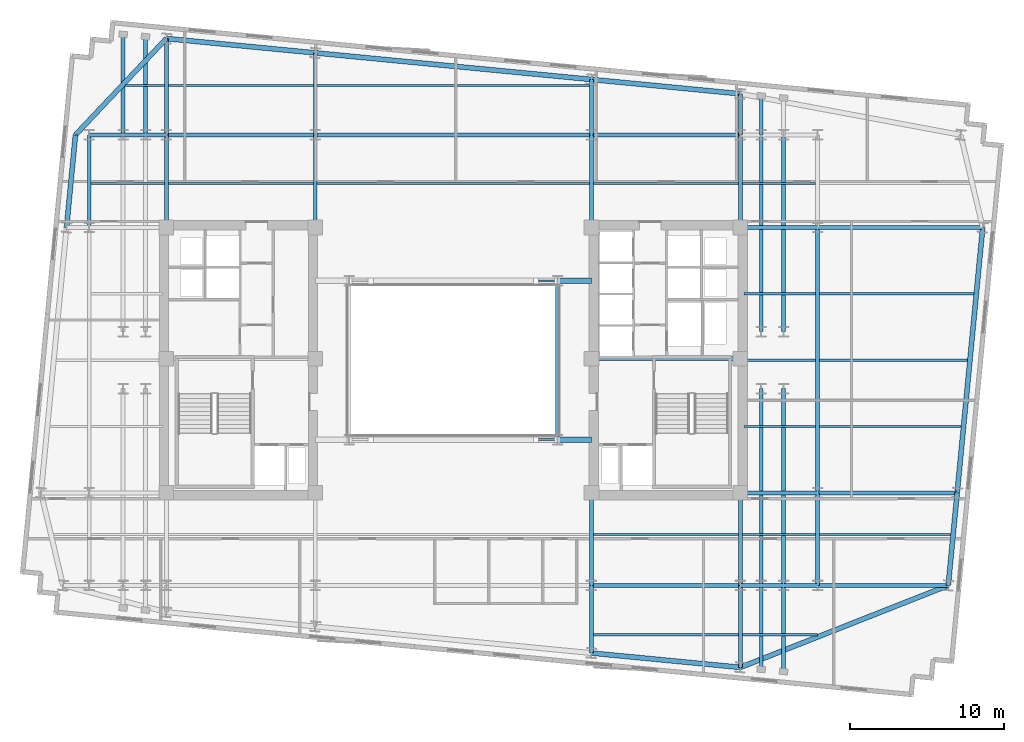
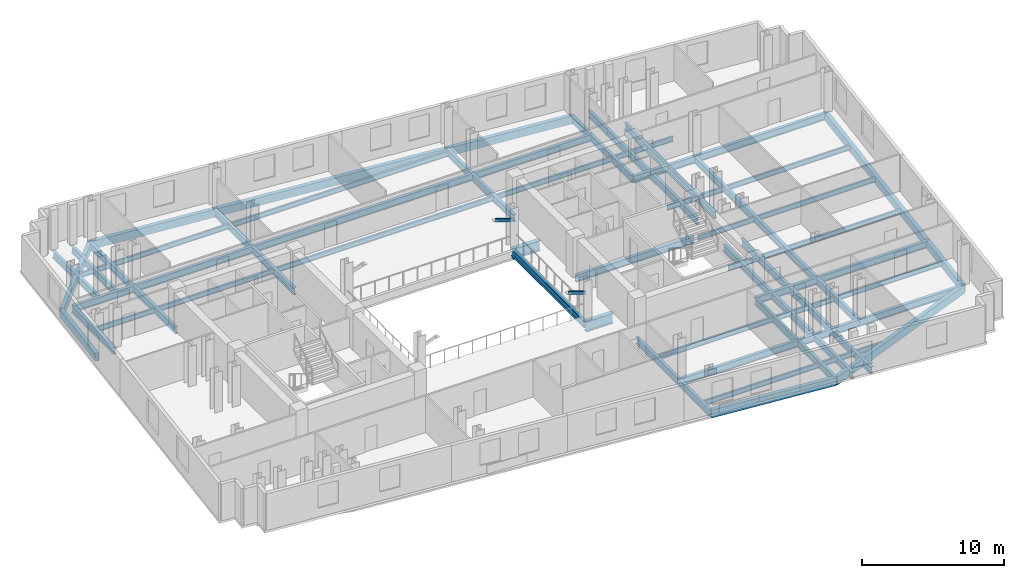
# One storey, part 2 of 9: 67 beams, 2 members.
"""IFC4 building model written with IfcOpenShell, lengths in metres."""

from ifc_helpers import new_model, si_unit, direction, frame, origin, origin_2d, place, context, subcontext, project, spatial, rectangle, hollow_rectangle, i_section, extrude, material, material_profile, profile_set, type_object, element, save


model = new_model("IFC4")

# Units and contexts
model_context = context("Model", 3, precision=1e-05, world=origin(), true_north=direction((0.0, 1.0)))
body_context = subcontext(model_context, "Body", "Model", "MODEL_VIEW")
ifc_project = project(units=[si_unit("LENGTHUNIT", "METRE"), si_unit("AREAUNIT", "SQUARE_METRE"), si_unit("VOLUMEUNIT", "CUBIC_METRE"), si_unit("PLANEANGLEUNIT", "RADIAN"), si_unit("MASSUNIT", "GRAM", prefix="KILO")], contexts=[model_context])

# Site, building, storey
site_placement = place(None, origin())
site = spatial("IfcSite", under=ifc_project, at=site_placement, CompositionType="ELEMENT")
building_placement = place(site_placement, origin())
building = spatial("IfcBuilding", under=site, at=building_placement, Name="Velakula Bourse", CompositionType="ELEMENT")
storey_placement = place(building_placement, frame((0.0, 0.0, 191.449951171875)))
storey = spatial("IfcBuildingStorey", under=building, at=storey_placement, Name="L52", CompositionType="ELEMENT", Elevation=191.449951171875)

# Beams
ifc_material_1 = material(Name="Steel IS 2062 Grade 350 (E350)", Category="steel")
ifc_material_profile_1 = material_profile(ifc_material_1, i_section(OverallWidth=0.25, OverallDepth=0.60009765625, WebThickness=0.01123046875, FlangeThickness=0.021240234375, at=origin_2d()), Name="Steel IS 2062 Grade 350 (E350)")
ifc_profile_set_1 = profile_set([ifc_material_profile_1], Name="Steel IS 2062 Grade 350 (E350)")
beam_type_1 = type_object("IfcBeamType", Name="BM-GRD-600M", PredefinedType="BEAM", material=ifc_profile_set_1)
beam_1_placement = place(storey_placement, frame((8.949951171875, 0.10009765625, -0.47998046875), z_axis=(1.0, 0.0, 0.0), x_axis=(0.0, 1.0, 0.0)))
element("IfcBeam", 1, at=beam_1_placement, inside=storey, type_object=beam_type_1, Name="L52 Primary Backbone Girder CRE-M", PredefinedType="BEAM", context=body_context, shape_type="SweptSolid", body=[
    extrude(i_section(OverallWidth=0.25, OverallDepth=0.60009765625, WebThickness=0.01123046875, FlangeThickness=0.021240234375, at=origin_2d()), origin(), (0.0, 0.0, 1.0), 9.650146484375),
])
beam_2_placement = place(storey_placement, frame((6.75, -5.14990234375, -0.47998046875), z_axis=(0.0, 1.0, 0.0), x_axis=(-1.0, 0.0, 0.0)))
element("IfcBeam", 2, at=beam_2_placement, inside=storey, type_object=beam_type_1, Name="L52 Primary Backbone Girder SPN-E", PredefinedType="BEAM", context=body_context, shape_type="SweptSolid", body=[
    extrude(i_section(OverallWidth=0.25, OverallDepth=0.60009765625, WebThickness=0.01123046875, FlangeThickness=0.021240234375, at=origin_2d()), origin(), (0.0, 0.0, 1.0), 10.2998046875),
])
for number, where, z_axis, x_axis, name in (
    (3, (-18.60009765625, 8.60009765625, -0.47998046875), (0.0, 1.0, 0.0), (-1.0, 0.0, 0.0), "L52 Fulcrum Grid Girder FLC-WN"),
    (4, (-8.949951171875, 8.60009765625, -0.47998046875), (0.0, 1.0, 0.0), (-1.0, 0.0, 0.0), "L52 Fulcrum Grid Girder FLC-WCN"),
    (5, (8.949951171875, -14.60009765625, -0.47998046875), (0.0, 1.0, 0.0), (-1.0, 0.0, 0.0), "L52 Fulcrum Grid Girder FLC-ECS"),
    (6, (8.949951171875, 8.60009765625, -0.47998046875), (0.0, 1.0, 0.0), (-1.0, 0.0, 0.0), "L52 Fulcrum Grid Girder FLC-ECN"),
    (7, (18.60009765625, -14.60009765625, -0.47998046875), (0.0, 1.0, 0.0), (-1.0, 0.0, 0.0), "L52 Fulcrum Grid Girder FLC-ES"),
    (8, (18.60009765625, 8.60009765625, -0.47998046875), (0.0, 1.0, 0.0), (-1.0, 0.0, 0.0), "L52 Fulcrum Grid Girder FLC-EN"),
):
    element("IfcBeam", number, at=place(storey_placement, frame(where, z_axis=z_axis, x_axis=x_axis)), inside=storey, type_object=beam_type_1, Name=name, PredefinedType="BEAM", context=body_context, shape_type="SweptSolid", body=[
        extrude(i_section(OverallWidth=0.25, OverallDepth=0.60009765625, WebThickness=0.01123046875, FlangeThickness=0.021240234375, at=origin_2d()), origin(), (0.0, 0.0, 1.0), 6.0),
    ])
for number, where, z_axis, x_axis, name in (
    (9, (8.949951171875, -14.60009765625, -0.47998046875), (1.0, 0.0, 0.0), (0.0, 1.0, 0.0), "L52 Fulcrum Grid Girder FLC-S3"),
    (10, (-18.60009765625, 14.60009765625, -0.47998046875), (1.0, 0.0, 0.0), (0.0, 1.0, 0.0), "L52 Fulcrum Grid Girder FLC-N1"),
):
    element("IfcBeam", number, at=place(storey_placement, frame(where, z_axis=z_axis, x_axis=x_axis)), inside=storey, type_object=beam_type_1, Name=name, PredefinedType="BEAM", context=body_context, shape_type="SweptSolid", body=[
        extrude(i_section(OverallWidth=0.25, OverallDepth=0.60009765625, WebThickness=0.01123046875, FlangeThickness=0.021240234375, at=origin_2d()), origin(), (0.0, 0.0, 1.0), 9.650146484375),
    ])
beam_3_placement = place(storey_placement, frame((-8.949951171875, 14.60009765625, -0.47998046875), z_axis=(1.0, 0.0, 0.0), x_axis=(0.0, 1.0, 0.0)))
element("IfcBeam", 11, at=beam_3_placement, inside=storey, type_object=beam_type_1, Name="L52 Fulcrum Grid Girder FLC-N2", PredefinedType="BEAM", context=body_context, shape_type="SweptSolid", body=[
    extrude(i_section(OverallWidth=0.25, OverallDepth=0.60009765625, WebThickness=0.01123046875, FlangeThickness=0.021240234375, at=origin_2d()), origin(), (0.0, 0.0, 1.0), 17.89990234375),
])
beam_4_placement = place(storey_placement, frame((8.949951171875, 14.60009765625, -0.47998046875), z_axis=(1.0, 0.0, 0.0), x_axis=(0.0, 1.0, 0.0)))
element("IfcBeam", 12, at=beam_4_placement, inside=storey, type_object=beam_type_1, Name="L52 Fulcrum Grid Girder FLC-N3", PredefinedType="BEAM", context=body_context, shape_type="SweptSolid", body=[
    extrude(i_section(OverallWidth=0.25, OverallDepth=0.60009765625, WebThickness=0.01123046875, FlangeThickness=0.021240234375, at=origin_2d()), origin(), (0.0, 0.0, 1.0), 9.650146484375),
])
for number, where, z_axis, x_axis, name in (
    (13, (19.949951171875, -14.60009765625, -0.47998046875), (0.0, 1.0, 0.0), (-1.0, 0.0, 0.0), "L52 Fulcrum Grid Girder FLC-PSE1"),
    (14, (19.949951171875, 1.85009765625, -0.47998046875), (0.0, 1.0, 0.0), (-1.0, 0.0, 0.0), "L52 Fulcrum Grid Girder FLC-PNE1"),
    (15, (21.39990234375, -14.60009765625, -0.47998046875), (0.0, 1.0, 0.0), (-1.0, 0.0, 0.0), "L52 Fulcrum Grid Girder FLC-PSE2"),
    (16, (21.39990234375, 1.85009765625, -0.47998046875), (0.0, 1.0, 0.0), (-1.0, 0.0, 0.0), "L52 Fulcrum Grid Girder FLC-PNE2"),
):
    element("IfcBeam", number, at=place(storey_placement, frame(where, z_axis=z_axis, x_axis=x_axis)), inside=storey, type_object=beam_type_1, Name=name, PredefinedType="BEAM", context=body_context, shape_type="SweptSolid", body=[
        extrude(i_section(OverallWidth=0.25, OverallDepth=0.60009765625, WebThickness=0.01123046875, FlangeThickness=0.021240234375, at=origin_2d()), origin(), (0.0, 0.0, 1.0), 12.75),
    ])
beam_5_placement = place(storey_placement, frame((-23.60009765625, 14.60009765625, -0.47998046875), z_axis=(1.0, 0.0, 0.0), x_axis=(0.0, 1.0, 0.0)))
element("IfcBeam", 17, at=beam_5_placement, inside=storey, type_object=beam_type_1, Name="L52 Fulcrum Grid Girder MWG-WN2", PredefinedType="BEAM", context=body_context, shape_type="SweptSolid", body=[
    extrude(i_section(OverallWidth=0.25, OverallDepth=0.60009765625, WebThickness=0.01123046875, FlangeThickness=0.021240234375, at=origin_2d()), origin(), (0.0, 0.0, 1.0), 5.0),
])
beam_6_placement = place(storey_placement, frame((-23.60009765625, 8.60009765625, -0.47998046875), z_axis=(0.0, 1.0, 0.0), x_axis=(-1.0, 0.0, 0.0)))
element("IfcBeam", 18, at=beam_6_placement, inside=storey, type_object=beam_type_1, Name="L52 Fulcrum Grid Girder MWG-WNS3", PredefinedType="BEAM", context=body_context, shape_type="SweptSolid", body=[
    extrude(i_section(OverallWidth=0.25, OverallDepth=0.60009765625, WebThickness=0.01123046875, FlangeThickness=0.021240234375, at=origin_2d()), origin(), (0.0, 0.0, 1.0), 6.0),
])
for number, where, z_axis, x_axis, name in (
    (19, (18.60009765625, -14.60009765625, -0.47998046875), (1.0, 0.0, 0.0), (0.0, 1.0, 0.0), "L52 Fulcrum Grid Girder MWG-ES1"),
    (20, (18.60009765625, -8.60009765625, -0.47998046875), (1.0, 0.0, 0.0), (0.0, 1.0, 0.0), "L52 Fulcrum Grid Girder MWG-ES2"),
    (21, (18.60009765625, 8.60009765625, -0.47998046875), (1.0, 0.0, 0.0), (0.0, 1.0, 0.0), "L52 Fulcrum Grid Girder MWG-EN1"),
):
    element("IfcBeam", number, at=place(storey_placement, frame(where, z_axis=z_axis, x_axis=x_axis)), inside=storey, type_object=beam_type_1, Name=name, PredefinedType="BEAM", context=body_context, shape_type="SweptSolid", body=[
        extrude(i_section(OverallWidth=0.25, OverallDepth=0.60009765625, WebThickness=0.01123046875, FlangeThickness=0.021240234375, at=origin_2d()), origin(), (0.0, 0.0, 1.0), 5.0),
    ])
beam_7_placement = place(storey_placement, frame((23.60009765625, -14.60009765625, -0.47998046875), z_axis=(0.0, 1.0, 0.0), x_axis=(-1.0, 0.0, 0.0)))
element("IfcBeam", 22, at=beam_7_placement, inside=storey, type_object=beam_type_1, Name="L52 Fulcrum Grid Girder MWG-ENS1", PredefinedType="BEAM", context=body_context, shape_type="SweptSolid", body=[
    extrude(i_section(OverallWidth=0.25, OverallDepth=0.60009765625, WebThickness=0.01123046875, FlangeThickness=0.021240234375, at=origin_2d()), origin(), (0.0, 0.0, 1.0), 6.0),
])
beam_8_placement = place(storey_placement, frame((23.60009765625, -8.60009765625, -0.47998046875), z_axis=(0.0, 1.0, 0.0), x_axis=(-1.0, 0.0, 0.0)))
element("IfcBeam", 23, at=beam_8_placement, inside=storey, type_object=beam_type_1, Name="L52 Fulcrum Grid Girder MWG-ENS2", PredefinedType="BEAM", context=body_context, shape_type="SweptSolid", body=[
    extrude(i_section(OverallWidth=0.25, OverallDepth=0.60009765625, WebThickness=0.01123046875, FlangeThickness=0.021240234375, at=origin_2d()), origin(), (0.0, 0.0, 1.0), 17.2001953125),
])
beam_9_placement = place(storey_placement, frame((8.949951171875, -14.60009765625, -0.47998046875), z_axis=(0.0, -1.0, 0.0), x_axis=(1.0, 0.0, 0.0)))
element("IfcBeam", 24, at=beam_9_placement, inside=storey, type_object=beam_type_1, Name="L52 Perimeter Tie Girder S3", PredefinedType="BEAM", context=body_context, shape_type="SweptSolid", body=[
    extrude(i_section(OverallWidth=0.25, OverallDepth=0.60009765625, WebThickness=0.01123046875, FlangeThickness=0.021240234375, at=origin_2d()), origin(), (0.0, 0.0, 1.0), 4.38134765625),
])
beam_10_placement = place(storey_placement, frame((18.60009765625, -14.60009765625, -0.47998046875), z_axis=(0.0, -1.0, 0.0), x_axis=(1.0, 0.0, 0.0)))
element("IfcBeam", 25, at=beam_10_placement, inside=storey, type_object=beam_type_1, Name="L52 Perimeter Tie Girder S4", PredefinedType="BEAM", context=body_context, shape_type="SweptSolid", body=[
    extrude(i_section(OverallWidth=0.25, OverallDepth=0.60009765625, WebThickness=0.01123046875, FlangeThickness=0.021240234375, at=origin_2d()), origin(), (0.0, 0.0, 1.0), 5.310546875),
])
beam_11_placement = place(storey_placement, frame((-18.60009765625, 14.60009765625, -0.47998046875), z_axis=(0.0, 1.0, 0.0), x_axis=(-1.0, 0.0, 0.0)))
element("IfcBeam", 26, at=beam_11_placement, inside=storey, type_object=beam_type_1, Name="L52 Perimeter Tie Girder N1", PredefinedType="BEAM", context=body_context, shape_type="SweptSolid", body=[
    extrude(i_section(OverallWidth=0.25, OverallDepth=0.60009765625, WebThickness=0.01123046875, FlangeThickness=0.021240234375, at=origin_2d()), origin(), (0.0, 0.0, 1.0), 6.2421875),
])
beam_12_placement = place(storey_placement, frame((-8.949951171875, 14.60009765625, -0.47998046875), z_axis=(0.0, 1.0, 0.0), x_axis=(-1.0, 0.0, 0.0)))
element("IfcBeam", 27, at=beam_12_placement, inside=storey, type_object=beam_type_1, Name="L52 Perimeter Tie Girder N2", PredefinedType="BEAM", context=body_context, shape_type="SweptSolid", body=[
    extrude(i_section(OverallWidth=0.25, OverallDepth=0.60009765625, WebThickness=0.01123046875, FlangeThickness=0.021240234375, at=origin_2d()), origin(), (0.0, 0.0, 1.0), 5.31298828125),
])
beam_13_placement = place(storey_placement, frame((8.949951171875, 14.60009765625, -0.47998046875), z_axis=(0.0, 1.0, 0.0), x_axis=(-1.0, 0.0, 0.0)))
element("IfcBeam", 28, at=beam_13_placement, inside=storey, type_object=beam_type_1, Name="L52 Perimeter Tie Girder N3", PredefinedType="BEAM", context=body_context, shape_type="SweptSolid", body=[
    extrude(i_section(OverallWidth=0.25, OverallDepth=0.60009765625, WebThickness=0.01123046875, FlangeThickness=0.021240234375, at=origin_2d()), origin(), (0.0, 0.0, 1.0), 3.589599609375),
])
beam_14_placement = place(storey_placement, frame((18.60009765625, 14.60009765625, -0.47998046875), z_axis=(0.0, 1.0, 0.0), x_axis=(-1.0, 0.0, 0.0)))
element("IfcBeam", 29, at=beam_14_placement, inside=storey, type_object=beam_type_1, Name="L52 Perimeter Tie Girder N4", PredefinedType="BEAM", context=body_context, shape_type="SweptSolid", body=[
    extrude(i_section(OverallWidth=0.25, OverallDepth=0.60009765625, WebThickness=0.01123046875, FlangeThickness=0.021240234375, at=origin_2d()), origin(), (0.0, 0.0, 1.0), 2.660400390625),
])
beam_15_placement = place(storey_placement, frame((23.60009765625, -14.60009765625, -0.47998046875), z_axis=(1.0, 0.0, 0.0), x_axis=(0.0, 1.0, 0.0)))
element("IfcBeam", 30, at=beam_15_placement, inside=storey, type_object=beam_type_1, Name="L52 Perimeter Tie Girder E1", PredefinedType="BEAM", context=body_context, shape_type="SweptSolid", body=[
    extrude(i_section(OverallWidth=0.25, OverallDepth=0.60009765625, WebThickness=0.01123046875, FlangeThickness=0.021240234375, at=origin_2d()), origin(), (0.0, 0.0, 1.0), 8.47119140625),
])
beam_16_placement = place(storey_placement, frame((23.60009765625, -8.60009765625, -0.47998046875), z_axis=(1.0, 0.0, 0.0), x_axis=(0.0, 1.0, 0.0)))
element("IfcBeam", 31, at=beam_16_placement, inside=storey, type_object=beam_type_1, Name="L52 Perimeter Tie Girder E2", PredefinedType="BEAM", context=body_context, shape_type="SweptSolid", body=[
    extrude(i_section(OverallWidth=0.25, OverallDepth=0.60009765625, WebThickness=0.01123046875, FlangeThickness=0.021240234375, at=origin_2d()), origin(), (0.0, 0.0, 1.0), 9.048828125),
])
beam_17_placement = place(storey_placement, frame((23.60009765625, 8.60009765625, -0.47998046875), z_axis=(1.0, 0.0, 0.0), x_axis=(0.0, 1.0, 0.0)))
element("IfcBeam", 32, at=beam_17_placement, inside=storey, type_object=beam_type_1, Name="L52 Perimeter Tie Girder E3", PredefinedType="BEAM", context=body_context, shape_type="SweptSolid", body=[
    extrude(i_section(OverallWidth=0.25, OverallDepth=0.60009765625, WebThickness=0.01123046875, FlangeThickness=0.021240234375, at=origin_2d()), origin(), (0.0, 0.0, 1.0), 10.705078125),
])
beam_18_placement = place(storey_placement, frame((19.949951171875, -14.60009765625, -0.47998046875), z_axis=(0.0, -1.0, 0.0), x_axis=(1.0, 0.0, 0.0)))
element("IfcBeam", 33, at=beam_18_placement, inside=storey, type_object=beam_type_1, Name="L52 Perimeter Tie Girder P03", PredefinedType="BEAM", context=body_context, shape_type="SweptSolid", body=[
    extrude(i_section(OverallWidth=0.25, OverallDepth=0.60009765625, WebThickness=0.01123046875, FlangeThickness=0.021240234375, at=origin_2d()), origin(), (0.0, 0.0, 1.0), 5.4404296875),
])
beam_19_placement = place(storey_placement, frame((21.39990234375, -14.60009765625, -0.47998046875), z_axis=(0.0, -1.0, 0.0), x_axis=(1.0, 0.0, 0.0)))
element("IfcBeam", 34, at=beam_19_placement, inside=storey, type_object=beam_type_1, Name="L52 Perimeter Tie Girder P04", PredefinedType="BEAM", context=body_context, shape_type="SweptSolid", body=[
    extrude(i_section(OverallWidth=0.25, OverallDepth=0.60009765625, WebThickness=0.01123046875, FlangeThickness=0.021240234375, at=origin_2d()), origin(), (0.0, 0.0, 1.0), 5.580322265625),
])
beam_20_placement = place(storey_placement, frame((-21.39990234375, 14.60009765625, -0.47998046875), z_axis=(0.0, 1.0, 0.0), x_axis=(-1.0, 0.0, 0.0)))
element("IfcBeam", 35, at=beam_20_placement, inside=storey, type_object=beam_type_1, Name="L52 Perimeter Tie Girder P05", PredefinedType="BEAM", context=body_context, shape_type="SweptSolid", body=[
    extrude(i_section(OverallWidth=0.25, OverallDepth=0.60009765625, WebThickness=0.01123046875, FlangeThickness=0.021240234375, at=origin_2d()), origin(), (0.0, 0.0, 1.0), 6.511962890625),
])
beam_21_placement = place(storey_placement, frame((-19.949951171875, 14.60009765625, -0.47998046875), z_axis=(0.0, 1.0, 0.0), x_axis=(-1.0, 0.0, 0.0)))
element("IfcBeam", 36, at=beam_21_placement, inside=storey, type_object=beam_type_1, Name="L52 Perimeter Tie Girder P06", PredefinedType="BEAM", context=body_context, shape_type="SweptSolid", body=[
    extrude(i_section(OverallWidth=0.25, OverallDepth=0.60009765625, WebThickness=0.01123046875, FlangeThickness=0.021240234375, at=origin_2d()), origin(), (0.0, 0.0, 1.0), 6.372314453125),
])
beam_22_placement = place(storey_placement, frame((19.949951171875, 14.60009765625, -0.47998046875), z_axis=(0.0, 1.0, 0.0), x_axis=(-1.0, 0.0, 0.0)))
element("IfcBeam", 37, at=beam_22_placement, inside=storey, type_object=beam_type_1, Name="L52 Perimeter Tie Girder P07", PredefinedType="BEAM", context=body_context, shape_type="SweptSolid", body=[
    extrude(i_section(OverallWidth=0.25, OverallDepth=0.60009765625, WebThickness=0.01123046875, FlangeThickness=0.021240234375, at=origin_2d()), origin(), (0.0, 0.0, 1.0), 2.530517578125),
])
ifc_material_profile_2 = material_profile(ifc_material_1, i_section(OverallWidth=0.35009765625, OverallDepth=0.89990234375, WebThickness=0.02001953125, FlangeThickness=0.031982421875, at=origin_2d()), Name="Steel IS 2062 Grade 350 (E350)")
ifc_profile_set_2 = profile_set([ifc_material_profile_2], Name="Steel IS 2062 Grade 350 (E350)")
beam_type_2 = type_object("IfcBeamType", Name="BM-LNK-900", PredefinedType="BEAM", material=ifc_profile_set_2)
for number, where, z_axis, x_axis, name in (
    (38, (6.75, -5.14990234375, -0.6298828125), (1.0, 0.0, 0.0), (0.0, 1.0, 0.0), "L52 Primary Backbone Girder LNK-S3"),
    (39, (6.75, 5.14990234375, -0.6298828125), (1.0, 0.0, 0.0), (0.0, 1.0, 0.0), "L52 Primary Backbone Girder LNK-N3"),
):
    element("IfcBeam", number, at=place(storey_placement, frame(where, z_axis=z_axis, x_axis=x_axis)), inside=storey, type_object=beam_type_2, Name=name, PredefinedType="BEAM", context=body_context, shape_type="SweptSolid", body=[
        extrude(i_section(OverallWidth=0.35009765625, OverallDepth=0.89990234375, WebThickness=0.02001953125, FlangeThickness=0.031982421875, at=origin_2d()), origin(), (0.0, 0.0, 1.0), 2.199951171875),
    ])

# Members
ifc_material_profile_3 = material_profile(ifc_material_1, hollow_rectangle(XDim=0.1201171875, YDim=0.239990234375, WallThickness=0.011962890625, at=origin_2d()), Name="Steel IS 2062 Grade 350 (E350)")
ifc_profile_set_3 = profile_set([ifc_material_profile_3], Name="Steel IS 2062 Grade 350 (E350)")
member_type = type_object("IfcMemberType", Name="BR-ATR-240", PredefinedType="BRACE", material=ifc_profile_set_3)
for number, where, z_axis, x_axis, name in (
    (40, (6.75, -5.14990234375, 2.25), (-0.948003264769, 0.0, 0.318260600746), (0.0, -1.0, 0.0), "L52 Atrium Skylight Lantern Knee Brace 2"),
    (41, (6.75, 5.14990234375, 2.25), (-0.948003264769, 0.0, 0.318260600746), (0.0, -1.0, 0.0), "L52 Atrium Skylight Lantern Knee Brace 3"),
):
    element("IfcMember", number, at=place(storey_placement, frame(where, z_axis=z_axis, x_axis=x_axis)), inside=storey, type_object=member_type, Name=name, PredefinedType="BRACE", context=body_context, shape_type="SweptSolid", body=[
        extrude(hollow_rectangle(XDim=0.1201171875, YDim=0.239990234375, WallThickness=0.011962890625, at=origin_2d()), origin(), (0.0, 0.0, 1.0), 1.476806640625),
    ])

# Beams
ifc_material_profile_4 = material_profile(ifc_material_1, i_section(OverallWidth=0.14990234375, OverallDepth=0.449951171875, WebThickness=0.009521484375, FlangeThickness=0.017333984375, at=origin_2d()), Name="Steel IS 2062 Grade 350 (E350)")
ifc_profile_set_4 = profile_set([ifc_material_profile_4], Name="Steel IS 2062 Grade 350 (E350)")
beam_type_3 = type_object("IfcBeamType", Name="JST-TWR-450", PredefinedType="JOIST", material=ifc_profile_set_4)
beam_23_placement = place(storey_placement, frame((9.074951171875, -17.800048828125, -0.405029296875), z_axis=(1.0, 0.0, 0.0), x_axis=(0.0, 1.0, 0.0)))
element("IfcBeam", 42, at=beam_23_placement, inside=storey, type_object=beam_type_3, Name="L52 Trading Floor Composite Joist 02", PredefinedType="JOIST", context=body_context, shape_type="SweptSolid", body=[
    extrude(i_section(OverallWidth=0.14990234375, OverallDepth=0.449951171875, WebThickness=0.009521484375, FlangeThickness=0.017333984375, at=origin_2d()), origin(), (0.0, 0.0, 1.0), 9.400146484375),
])
beam_24_placement = place(storey_placement, frame((18.72509765625, -17.800048828125, -0.405029296875), z_axis=(1.0, 0.0, 0.0), x_axis=(0.0, 1.0, 0.0)))
element("IfcBeam", 43, at=beam_24_placement, inside=storey, type_object=beam_type_3, Name="L52 Trading Floor Composite Joist 03", PredefinedType="JOIST", context=body_context, shape_type="SweptSolid", body=[
    extrude(i_section(OverallWidth=0.14990234375, OverallDepth=0.449951171875, WebThickness=0.009521484375, FlangeThickness=0.017333984375, at=origin_2d()), origin(), (0.0, 0.0, 1.0), 4.875),
])
beam_25_placement = place(storey_placement, frame((9.074951171875, -11.300048828125, -0.405029296875), z_axis=(1.0, 0.0, 0.0), x_axis=(0.0, 1.0, 0.0)))
element("IfcBeam", 44, at=beam_25_placement, inside=storey, type_object=beam_type_3, Name="L52 Trading Floor Composite Joist 08", PredefinedType="JOIST", context=body_context, shape_type="SweptSolid", body=[
    extrude(i_section(OverallWidth=0.14990234375, OverallDepth=0.449951171875, WebThickness=0.009521484375, FlangeThickness=0.017333984375, at=origin_2d()), origin(), (0.0, 0.0, 1.0), 9.400146484375),
])
beam_26_placement = place(storey_placement, frame((18.72509765625, -11.300048828125, -0.405029296875), z_axis=(1.0, 0.0, 0.0), x_axis=(0.0, 1.0, 0.0)))
element("IfcBeam", 45, at=beam_26_placement, inside=storey, type_object=beam_type_3, Name="L52 Trading Floor Composite Joist 09", PredefinedType="JOIST", context=body_context, shape_type="SweptSolid", body=[
    extrude(i_section(OverallWidth=0.14990234375, OverallDepth=0.449951171875, WebThickness=0.009521484375, FlangeThickness=0.017333984375, at=origin_2d()), origin(), (0.0, 0.0, 1.0), 4.75),
])
beam_27_placement = place(storey_placement, frame((23.72509765625, -11.300048828125, -0.405029296875), z_axis=(1.0, 0.0, 0.0), x_axis=(0.0, 1.0, 0.0)))
element("IfcBeam", 46, at=beam_27_placement, inside=storey, type_object=beam_type_3, Name="L52 Trading Floor Composite Joist 10", PredefinedType="JOIST", context=body_context, shape_type="SweptSolid", body=[
    extrude(i_section(OverallWidth=0.14990234375, OverallDepth=0.449951171875, WebThickness=0.009521484375, FlangeThickness=0.017333984375, at=origin_2d()), origin(), (0.0, 0.0, 1.0), 8.503173828125),
])
beam_28_placement = place(storey_placement, frame((-23.47509765625, 11.449951171875, -0.405029296875), z_axis=(1.0, 0.0, 0.0), x_axis=(0.0, 1.0, 0.0)))
element("IfcBeam", 47, at=beam_28_placement, inside=storey, type_object=beam_type_3, Name="L52 Trading Floor Composite Joist 11", PredefinedType="JOIST", context=body_context, shape_type="SweptSolid", body=[
    extrude(i_section(OverallWidth=0.14990234375, OverallDepth=0.449951171875, WebThickness=0.009521484375, FlangeThickness=0.017333984375, at=origin_2d()), origin(), (0.0, 0.0, 1.0), 4.75),
])
beam_29_placement = place(storey_placement, frame((-18.47509765625, 11.449951171875, -0.405029296875), z_axis=(1.0, 0.0, 0.0), x_axis=(0.0, 1.0, 0.0)))
element("IfcBeam", 48, at=beam_29_placement, inside=storey, type_object=beam_type_3, Name="L52 Trading Floor Composite Joist 12", PredefinedType="JOIST", context=body_context, shape_type="SweptSolid", body=[
    extrude(i_section(OverallWidth=0.14990234375, OverallDepth=0.449951171875, WebThickness=0.009521484375, FlangeThickness=0.017333984375, at=origin_2d()), origin(), (0.0, 0.0, 1.0), 9.400146484375),
])
beam_30_placement = place(storey_placement, frame((-8.824951171875, 11.449951171875, -0.405029296875), z_axis=(1.0, 0.0, 0.0), x_axis=(0.0, 1.0, 0.0)))
element("IfcBeam", 49, at=beam_30_placement, inside=storey, type_object=beam_type_3, Name="L52 Trading Floor Composite Joist 13", PredefinedType="JOIST", context=body_context, shape_type="SweptSolid", body=[
    extrude(i_section(OverallWidth=0.14990234375, OverallDepth=0.449951171875, WebThickness=0.009521484375, FlangeThickness=0.017333984375, at=origin_2d()), origin(), (0.0, 0.0, 1.0), 17.64990234375),
])
beam_31_placement = place(storey_placement, frame((9.074951171875, 11.449951171875, -0.405029296875), z_axis=(1.0, 0.0, 0.0), x_axis=(0.0, 1.0, 0.0)))
element("IfcBeam", 50, at=beam_31_placement, inside=storey, type_object=beam_type_3, Name="L52 Trading Floor Composite Joist 14", PredefinedType="JOIST", context=body_context, shape_type="SweptSolid", body=[
    extrude(i_section(OverallWidth=0.14990234375, OverallDepth=0.449951171875, WebThickness=0.009521484375, FlangeThickness=0.017333984375, at=origin_2d()), origin(), (0.0, 0.0, 1.0), 9.400146484375),
])
beam_32_placement = place(storey_placement, frame((18.72509765625, 11.449951171875, -0.405029296875), z_axis=(1.0, 0.0, 0.0), x_axis=(0.0, 1.0, 0.0)))
element("IfcBeam", 51, at=beam_32_placement, inside=storey, type_object=beam_type_3, Name="L52 Trading Floor Composite Joist 15", PredefinedType="JOIST", context=body_context, shape_type="SweptSolid", body=[
    extrude(i_section(OverallWidth=0.14990234375, OverallDepth=0.449951171875, WebThickness=0.009521484375, FlangeThickness=0.017333984375, at=origin_2d()), origin(), (0.0, 0.0, 1.0), 4.75),
])
beam_33_placement = place(storey_placement, frame((-21.2509765625, 17.800048828125, -0.405029296875), z_axis=(1.0, 0.0, 0.0), x_axis=(0.0, 1.0, 0.0)))
element("IfcBeam", 52, at=beam_33_placement, inside=storey, type_object=beam_type_3, Name="L52 Trading Floor Composite Joist 17", PredefinedType="JOIST", context=body_context, shape_type="SweptSolid", body=[
    extrude(i_section(OverallWidth=0.14990234375, OverallDepth=0.449951171875, WebThickness=0.009521484375, FlangeThickness=0.017333984375, at=origin_2d()), origin(), (0.0, 0.0, 1.0), 2.52587890625),
])
beam_34_placement = place(storey_placement, frame((-18.47509765625, 17.800048828125, -0.405029296875), z_axis=(1.0, 0.0, 0.0), x_axis=(0.0, 1.0, 0.0)))
element("IfcBeam", 53, at=beam_34_placement, inside=storey, type_object=beam_type_3, Name="L52 Trading Floor Composite Joist 18", PredefinedType="JOIST", context=body_context, shape_type="SweptSolid", body=[
    extrude(i_section(OverallWidth=0.14990234375, OverallDepth=0.449951171875, WebThickness=0.009521484375, FlangeThickness=0.017333984375, at=origin_2d()), origin(), (0.0, 0.0, 1.0), 9.400146484375),
])
beam_35_placement = place(storey_placement, frame((-8.824951171875, 17.800048828125, -0.405029296875), z_axis=(1.0, 0.0, 0.0), x_axis=(0.0, 1.0, 0.0)))
element("IfcBeam", 54, at=beam_35_placement, inside=storey, type_object=beam_type_3, Name="L52 Trading Floor Composite Joist 19", PredefinedType="JOIST", context=body_context, shape_type="SweptSolid", body=[
    extrude(i_section(OverallWidth=0.14990234375, OverallDepth=0.449951171875, WebThickness=0.009521484375, FlangeThickness=0.017333984375, at=origin_2d()), origin(), (0.0, 0.0, 1.0), 17.64990234375),
])
beam_36_placement = place(storey_placement, frame((18.85009765625, -4.300048828125, -0.405029296875), z_axis=(1.0, 0.0, 0.0), x_axis=(0.0, 1.0, 0.0)))
element("IfcBeam", 55, at=beam_36_placement, inside=storey, type_object=beam_type_3, Name="L52 Trading Floor Composite Joist 23", PredefinedType="JOIST", context=body_context, shape_type="SweptSolid", body=[
    extrude(i_section(OverallWidth=0.14990234375, OverallDepth=0.449951171875, WebThickness=0.009521484375, FlangeThickness=0.017333984375, at=origin_2d()), origin(), (0.0, 0.0, 1.0), 4.625),
])
beam_37_placement = place(storey_placement, frame((23.72509765625, -4.300048828125, -0.405029296875), z_axis=(1.0, 0.0, 0.0), x_axis=(0.0, 1.0, 0.0)))
element("IfcBeam", 56, at=beam_37_placement, inside=storey, type_object=beam_type_3, Name="L52 Trading Floor Composite Joist 24", PredefinedType="JOIST", context=body_context, shape_type="SweptSolid", body=[
    extrude(i_section(OverallWidth=0.14990234375, OverallDepth=0.449951171875, WebThickness=0.009521484375, FlangeThickness=0.017333984375, at=origin_2d()), origin(), (0.0, 0.0, 1.0), 9.17724609375),
])
beam_38_placement = place(storey_placement, frame((18.85009765625, 0.0, -0.405029296875), z_axis=(1.0, 0.0, 0.0), x_axis=(0.0, 1.0, 0.0)))
element("IfcBeam", 57, at=beam_38_placement, inside=storey, type_object=beam_type_3, Name="L52 Trading Floor Composite Joist 27", PredefinedType="JOIST", context=body_context, shape_type="SweptSolid", body=[
    extrude(i_section(OverallWidth=0.14990234375, OverallDepth=0.449951171875, WebThickness=0.009521484375, FlangeThickness=0.017333984375, at=origin_2d()), origin(), (0.0, 0.0, 1.0), 4.625),
])
beam_39_placement = place(storey_placement, frame((23.72509765625, 0.0, -0.405029296875), z_axis=(1.0, 0.0, 0.0), x_axis=(0.0, 1.0, 0.0)))
element("IfcBeam", 58, at=beam_39_placement, inside=storey, type_object=beam_type_3, Name="L52 Trading Floor Composite Joist 28", PredefinedType="JOIST", context=body_context, shape_type="SweptSolid", body=[
    extrude(i_section(OverallWidth=0.14990234375, OverallDepth=0.449951171875, WebThickness=0.009521484375, FlangeThickness=0.017333984375, at=origin_2d()), origin(), (0.0, 0.0, 1.0), 9.59130859375),
])
beam_40_placement = place(storey_placement, frame((18.85009765625, 4.300048828125, -0.405029296875), z_axis=(1.0, 0.0, 0.0), x_axis=(0.0, 1.0, 0.0)))
element("IfcBeam", 59, at=beam_40_placement, inside=storey, type_object=beam_type_3, Name="L52 Trading Floor Composite Joist 30", PredefinedType="JOIST", context=body_context, shape_type="SweptSolid", body=[
    extrude(i_section(OverallWidth=0.14990234375, OverallDepth=0.449951171875, WebThickness=0.009521484375, FlangeThickness=0.017333984375, at=origin_2d()), origin(), (0.0, 0.0, 1.0), 4.625),
])
beam_41_placement = place(storey_placement, frame((23.72509765625, 4.300048828125, -0.405029296875), z_axis=(1.0, 0.0, 0.0), x_axis=(0.0, 1.0, 0.0)))
element("IfcBeam", 60, at=beam_41_placement, inside=storey, type_object=beam_type_3, Name="L52 Trading Floor Composite Joist 31", PredefinedType="JOIST", context=body_context, shape_type="SweptSolid", body=[
    extrude(i_section(OverallWidth=0.14990234375, OverallDepth=0.449951171875, WebThickness=0.009521484375, FlangeThickness=0.017333984375, at=origin_2d()), origin(), (0.0, 0.0, 1.0), 10.005126953125),
])
ifc_material_2 = material(Name="Precast concrete M45 (fck 45 MPa)", Category="concrete")
ifc_material_profile_5 = material_profile(ifc_material_2, rectangle(XDim=0.320068359375, YDim=0.679931640625, at=origin_2d()), Name="Precast concrete M45 (fck 45 MPa)")
ifc_profile_set_5 = profile_set([ifc_material_profile_5], Name="Precast concrete M45 (fck 45 MPa)")
beam_type_4 = type_object("IfcBeamType", Name="SPN-BRICK-680", PredefinedType="SPANDREL", material=ifc_profile_set_5)
for number, where, z_axis, x_axis, name in (
    (61, (8.949951171875, -18.9814453125, -0.52001953125), (0.99539623971, -0.095845323155, 0.0), (0.095845323155, 0.99539623971, 0.0), "L52 Brick-Faced Precast Spandrel S3-S4"),
    (62, (-18.60009765625, 20.84228515625, -0.52001953125), (0.99539623971, -0.095845323155, 0.0), (0.095845323155, 0.99539623971, 0.0), "L52 Brick-Faced Precast Spandrel N1-N2"),
):
    element("IfcBeam", number, at=place(storey_placement, frame(where, z_axis=z_axis, x_axis=x_axis)), inside=storey, type_object=beam_type_4, Name=name, PredefinedType="SPANDREL", context=body_context, shape_type="SweptSolid", body=[
        extrude(rectangle(XDim=0.320068359375, YDim=0.679931640625, at=origin_2d()), origin(), (0.0, 0.0, 1.0), 9.69482421875),
    ])
beam_42_placement = place(storey_placement, frame((-8.949951171875, 19.9130859375, -0.52001953125), z_axis=(0.995397131467, -0.095836061418, 0.0), x_axis=(0.095836061418, 0.995397131467, 0.0)))
element("IfcBeam", 63, at=beam_42_placement, inside=storey, type_object=beam_type_4, Name="L52 Brick-Faced Precast Spandrel N2-N3", PredefinedType="SPANDREL", context=body_context, shape_type="SweptSolid", body=[
    extrude(rectangle(XDim=0.320068359375, YDim=0.679931640625, at=origin_2d()), origin(), (0.0, 0.0, 1.0), 17.982666015625),
])
beam_43_placement = place(storey_placement, frame((8.949951171875, 18.189697265625, -0.52001953125), z_axis=(0.99539623971, -0.095845323155, 0.0), x_axis=(0.095845323155, 0.99539623971, 0.0)))
element("IfcBeam", 64, at=beam_43_placement, inside=storey, type_object=beam_type_4, Name="L52 Brick-Faced Precast Spandrel N3-N4", PredefinedType="SPANDREL", context=body_context, shape_type="SweptSolid", body=[
    extrude(rectangle(XDim=0.320068359375, YDim=0.679931640625, at=origin_2d()), origin(), (0.0, 0.0, 1.0), 9.69482421875),
])
for number, where, z_axis, x_axis, name in (
    (65, (-25.068115234375, 8.60009765625, -0.52001953125), (0.095829714309, 0.995397742541, 0.0), (-0.995397742541, 0.095829714309, 0.0), "L52 Brick-Faced Precast Spandrel W3-W4"),
    (66, (32.0712890625, -14.60009765625, -0.52001953125), (0.095829714309, 0.995397742541, 0.0), (-0.995397742541, 0.095829714309, 0.0), "L52 Brick-Faced Precast Spandrel E1-E2"),
):
    element("IfcBeam", number, at=place(storey_placement, frame(where, z_axis=z_axis, x_axis=x_axis)), inside=storey, type_object=beam_type_4, Name=name, PredefinedType="SPANDREL", context=body_context, shape_type="SweptSolid", body=[
        extrude(rectangle(XDim=0.320068359375, YDim=0.679931640625, at=origin_2d()), origin(), (0.0, 0.0, 1.0), 6.02783203125),
    ])
beam_44_placement = place(storey_placement, frame((32.64892578125, -8.60009765625, -0.52001953125), z_axis=(0.095849167925, 0.995395869495, 0.0), x_axis=(-0.995395869495, 0.095849167925, 0.0)))
element("IfcBeam", 67, at=beam_44_placement, inside=storey, type_object=beam_type_4, Name="L52 Brick-Faced Precast Spandrel E2-E3", PredefinedType="SPANDREL", context=body_context, shape_type="SweptSolid", body=[
    extrude(rectangle(XDim=0.320068359375, YDim=0.679931640625, at=origin_2d()), origin(), (0.0, 0.0, 1.0), 17.27978515625),
])
beam_45_placement = place(storey_placement, frame((18.60009765625, -19.91064453125, -0.52001953125), z_axis=(0.930320901537, 0.366746533949, 0.0), x_axis=(-0.366746533949, 0.930320901537, 0.0)))
element("IfcBeam", 68, at=beam_45_placement, inside=storey, type_object=beam_type_4, Name="L52 Brick-Faced Precast Spandrel S4-E1", PredefinedType="SPANDREL", context=body_context, shape_type="SweptSolid", body=[
    extrude(rectangle(XDim=0.320068359375, YDim=0.679931640625, at=origin_2d()), origin(), (0.0, 0.0, 1.0), 14.480224609375),
])
beam_46_placement = place(storey_placement, frame((-18.60009765625, 20.84228515625, -0.52001953125), z_axis=(-0.686314417505, -0.727304970645, 0.0), x_axis=(0.727304970645, -0.686314417505, 0.0)))
element("IfcBeam", 69, at=beam_46_placement, inside=storey, type_object=beam_type_4, Name="L52 Brick-Faced Precast Spandrel N1-W4", PredefinedType="SPANDREL", context=body_context, shape_type="SweptSolid", body=[
    extrude(rectangle(XDim=0.320068359375, YDim=0.679931640625, at=origin_2d()), origin(), (0.0, 0.0, 1.0), 8.58251953125),
])

save(model, "model.ifc")
